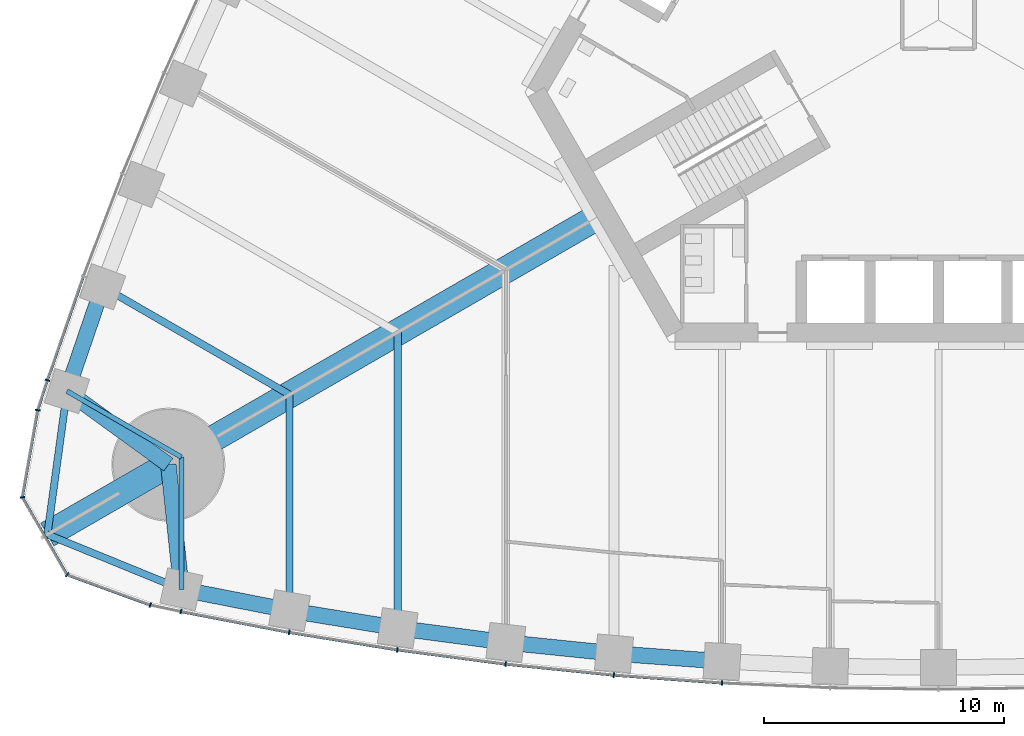
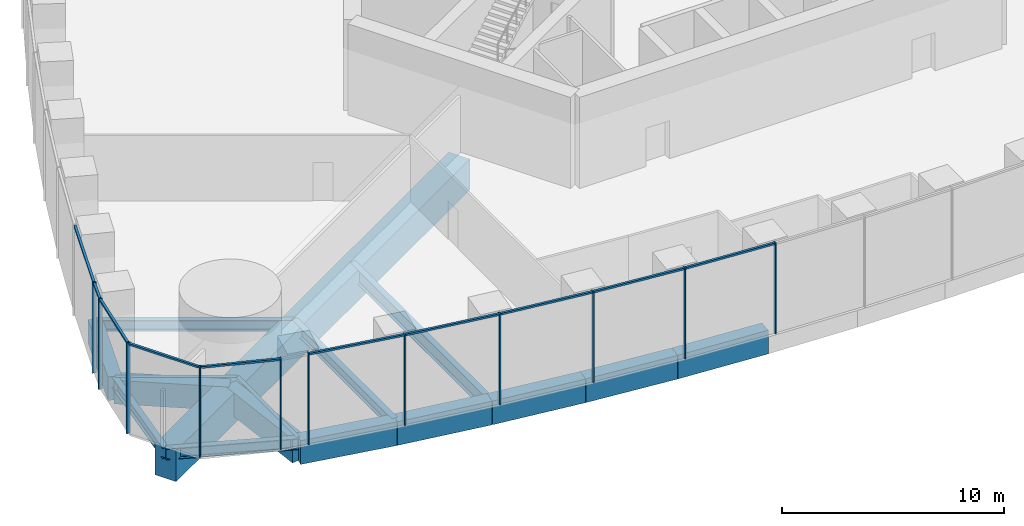
# One storey, part 2 of 21: 21 members, 17 beams, 3 elements without a shape of their own.
"""IFC4 building model written with IfcOpenShell, lengths in metres."""

from ifc_helpers import new_model, si_unit, direction, frame, origin, origin_2d, place, context, subcontext, project, spatial, rectangle, i_section, extrude, material, material_profile, profile_set, type_object, element, aggregate, save


model = new_model("IFC4")

# Units and contexts
model_context = context("Model", 3, precision=1e-05, world=origin(), true_north=direction((0.0, 1.0)))
body_context = subcontext(model_context, "Body", "Model", "MODEL_VIEW")
ifc_project = project(units=[si_unit("LENGTHUNIT", "METRE"), si_unit("AREAUNIT", "SQUARE_METRE"), si_unit("VOLUMEUNIT", "CUBIC_METRE"), si_unit("PLANEANGLEUNIT", "RADIAN"), si_unit("MASSUNIT", "GRAM", prefix="KILO")], contexts=[model_context])

# Site, building, storey
site_placement = place(None, origin())
site = spatial("IfcSite", under=ifc_project, at=site_placement, CompositionType="ELEMENT")
building_placement = place(site_placement, origin())
building = spatial("IfcBuilding", under=site, at=building_placement, Name="Trefoil Bronze Tower", CompositionType="ELEMENT")
storey_placement = place(building_placement, frame((0.0, 0.0, 11.5)))
storey = spatial("IfcBuildingStorey", under=building, at=storey_placement, Name="L02", CompositionType="ELEMENT", Elevation=11.5)

# Curtain wall, members
ifc_material_1 = material(Name="Tinted solar-control glass", Category="glass")
curtain_wall_type_1 = type_object("IfcCurtainWallType", Name="Bronze podium storefront curtain wall", PredefinedType="USERDEFINED", material=ifc_material_1)
curtain_wall_1_placement = place(storey_placement, origin())
curtain_wall_1 = element("IfcCurtainWall", 1, at=curtain_wall_1_placement, inside=storey, type_object=curtain_wall_type_1, Name="CW-C L02 F1", ObjectType="CURTAIN WALL", PredefinedType="USERDEFINED")
ifc_material_2 = material(Name="Bronze-finish aluminium", Category="aluminium")
ifc_material_profile_1 = material_profile(ifc_material_2, rectangle(XDim=0.199951171875, YDim=0.06005859375, at=origin_2d()), Name="CW-C mullion")
ifc_profile_set_1 = profile_set([ifc_material_profile_1], Name="Bronze-finish aluminium")
member_type_1 = type_object("IfcMemberType", Name="Bronze podium storefront curtain wall mullion", PredefinedType="MULLION", material=ifc_profile_set_1)
member_1_placement = place(storey_placement, frame((-31.519775390625, -24.614013671875, 0.0), z_axis=(0.0, 0.0, 1.0), x_axis=(0.197910006829, 0.98022019424, 0.0)))
member_1 = element("IfcMember", 2, at=member_1_placement, type_object=member_type_1, Name="CW-C L02 F1 mullion 2", PredefinedType="MULLION", context=body_context, shape_type="SweptSolid", body=[
    extrude(rectangle(XDim=0.199951171875, YDim=0.06005859375, at=origin_2d()), origin(), (0.0, 0.0, 1.0), 4.97998046875),
])
member_2_placement = place(storey_placement, frame((-27.017333984375, -25.478759765625, 0.0), z_axis=(0.0, 0.0, 1.0), x_axis=(0.174131146426, 0.984722470468, 0.0)))
member_2 = element("IfcMember", 3, at=member_2_placement, type_object=member_type_1, Name="CW-C L02 F1 mullion 3", PredefinedType="MULLION", context=body_context, shape_type="SweptSolid", body=[
    extrude(rectangle(XDim=0.199951171875, YDim=0.06005859375, at=origin_2d()), origin(), (0.0, 0.0, 1.0), 4.97998046875),
])
member_3_placement = place(storey_placement, frame((-22.514404296875, -26.206787109375, 0.0), z_axis=(0.0, 0.0, 1.0), x_axis=(0.145108990094, 0.989415676546, 0.0)))
member_3 = element("IfcMember", 4, at=member_3_placement, type_object=member_type_1, Name="CW-C L02 F1 mullion 4", PredefinedType="MULLION", context=body_context, shape_type="SweptSolid", body=[
    extrude(rectangle(XDim=0.199951171875, YDim=0.06005859375, at=origin_2d()), origin(), (0.0, 0.0, 1.0), 4.97998046875),
])
member_4_placement = place(storey_placement, frame((-18.01171875, -26.800048828125, 0.0), z_axis=(0.0, 0.0, 1.0), x_axis=(0.116086999973, 0.993239048989, 0.0)))
member_4 = element("IfcMember", 5, at=member_4_placement, type_object=member_type_1, Name="CW-C L02 F1 mullion 5", PredefinedType="MULLION", context=body_context, shape_type="SweptSolid", body=[
    extrude(rectangle(XDim=0.199951171875, YDim=0.06005859375, at=origin_2d()), origin(), (0.0, 0.0, 1.0), 4.97998046875),
])
member_5_placement = place(storey_placement, frame((-13.5087890625, -27.259765625, 0.0), z_axis=(0.0, 0.0, 1.0), x_axis=(0.087065139456, 0.996202620701, 0.0)))
member_5 = element("IfcMember", 6, at=member_5_placement, type_object=member_type_1, Name="CW-C L02 F1 mullion 6", PredefinedType="MULLION", context=body_context, shape_type="SweptSolid", body=[
    extrude(rectangle(XDim=0.199951171875, YDim=0.06005859375, at=origin_2d()), origin(), (0.0, 0.0, 1.0), 4.97998046875),
])
member_6_placement = place(storey_placement, frame((-9.005859375, -27.587158203125, 0.0), z_axis=(0.0, 0.0, 1.0), x_axis=(0.058043374207, 0.998314062162, 0.0)))
member_6 = element("IfcMember", 7, at=member_6_placement, type_object=member_type_1, Name="CW-C L02 F1 mullion 7", PredefinedType="MULLION", context=body_context, shape_type="SweptSolid", body=[
    extrude(rectangle(XDim=0.199951171875, YDim=0.06005859375, at=origin_2d()), origin(), (0.0, 0.0, 1.0), 4.97998046875),
])

# Curtain wall, member
curtain_wall_2_placement = place(storey_placement, origin())
curtain_wall_2 = element("IfcCurtainWall", 8, at=curtain_wall_2_placement, inside=storey, type_object=curtain_wall_type_1, Name="CW-C L02 F3", ObjectType="CURTAIN WALL", PredefinedType="USERDEFINED")
member_7_placement = place(storey_placement, frame((-37.076416015625, -14.989990234375, 0.0), z_axis=(0.0, 0.0, 1.0), x_axis=(0.947850592929, -0.318715003543, 0.0)))
member_7 = element("IfcMember", 9, at=member_7_placement, type_object=member_type_1, Name="CW-C L02 F3 mullion 16", PredefinedType="MULLION", context=body_context, shape_type="SweptSolid", body=[
    extrude(rectangle(XDim=0.199951171875, YDim=0.06005859375, at=origin_2d()), origin(), (0.0, 0.0, 1.0), 4.97998046875),
])

# Member
ifc_material_3 = material(Name="Bronze-finish aluminium", Category="aluminium")
ifc_material_profile_2 = material_profile(ifc_material_3, rectangle(XDim=0.1201171875, YDim=0.10009765625, at=origin_2d()), Name="CW-C transom")
ifc_profile_set_2 = profile_set([ifc_material_profile_2], Name="Bronze-finish aluminium")
member_type_2 = type_object("IfcMemberType", Name="Bronze podium storefront curtain wall transom", PredefinedType="USERDEFINED", material=ifc_profile_set_2)
member_8_placement = place(storey_placement, frame((-31.489501953125, -24.619873046875, 4.929931640625), z_axis=(0.982049163512, -0.18862513206, 0.0), x_axis=(0.18862513206, 0.982049163512, 0.0)))
member_8 = element("IfcMember", 10, at=member_8_placement, type_object=member_type_2, Name="CW-C L02 F1 transom 2", ObjectType="TRANSOM", PredefinedType="USERDEFINED", context=body_context, shape_type="SweptSolid", body=[
    extrude(rectangle(XDim=0.1201171875, YDim=0.10009765625, at=origin_2d()), origin(), (0.0, 0.0, 1.0), 4.5224609375),
])

member_9_placement = place(storey_placement, frame((-26.986328125, -25.48388671875, 4.929931640625), z_axis=(0.987178845657, -0.159618065043, 0.0), x_axis=(0.159618065043, 0.987178845657, 0.0)))
member_9 = element("IfcMember", 11, at=member_9_placement, type_object=member_type_2, Name="CW-C L02 F1 transom 3", ObjectType="TRANSOM", PredefinedType="USERDEFINED", context=body_context, shape_type="SweptSolid", body=[
    extrude(rectangle(XDim=0.1201171875, YDim=0.10009765625, at=origin_2d()), origin(), (0.0, 0.0, 1.0), 4.498291015625),
])

member_10_placement = place(storey_placement, frame((-22.4833984375, -26.2109375, 4.929931640625), z_axis=(0.991435175775, -0.130599740566, 0.0), x_axis=(0.130599740566, 0.991435175775, 0.0)))
member_10 = element("IfcMember", 12, at=member_10_placement, type_object=member_type_2, Name="CW-C L02 F1 transom 4", ObjectType="TRANSOM", PredefinedType="USERDEFINED", context=body_context, shape_type="SweptSolid", body=[
    extrude(rectangle(XDim=0.1201171875, YDim=0.10009765625, at=origin_2d()), origin(), (0.0, 0.0, 1.0), 4.47900390625),
])

member_11_placement = place(storey_placement, frame((-17.980224609375, -26.80322265625, 4.929931640625), z_axis=(0.994833127844, -0.101523631455, 0.0), x_axis=(0.101523631455, 0.994833127844, 0.0)))
member_11 = element("IfcMember", 13, at=member_11_placement, type_object=member_type_2, Name="CW-C L02 F1 transom 5", ObjectType="TRANSOM", PredefinedType="USERDEFINED", context=body_context, shape_type="SweptSolid", body=[
    extrude(rectangle(XDim=0.1201171875, YDim=0.10009765625, at=origin_2d()), origin(), (0.0, 0.0, 1.0), 4.463134765625),
])

member_12_placement = place(storey_placement, frame((-13.477294921875, -27.261962890625, 4.929931640625), z_axis=(0.997364590548, -0.072552556953, 0.0), x_axis=(0.072552556953, 0.997364590548, 0.0)))
member_12 = element("IfcMember", 14, at=member_12_placement, type_object=member_type_2, Name="CW-C L02 F1 transom 6", ObjectType="TRANSOM", PredefinedType="USERDEFINED", context=body_context, shape_type="SweptSolid", body=[
    extrude(rectangle(XDim=0.1201171875, YDim=0.10009765625, at=origin_2d()), origin(), (0.0, 0.0, 1.0), 4.451904296875),
])

aggregate(curtain_wall_1, [member_1, member_2, member_3, member_4, member_5, member_6, member_8, member_9, member_10, member_11, member_12])

member_13_placement = place(storey_placement, frame((-35.58447265625, -10.68798828125, 4.929931640625), z_axis=(-0.327638958875, -0.944803002021, 0.0), x_axis=(0.944803002021, -0.327638958875, 0.0)))
member_13 = element("IfcMember", 15, at=member_13_placement, type_object=member_type_2, Name="CW-C L02 F3 transom 15", ObjectType="TRANSOM", PredefinedType="USERDEFINED", context=body_context, shape_type="SweptSolid", body=[
    extrude(rectangle(XDim=0.1201171875, YDim=0.10009765625, at=origin_2d()), origin(), (0.0, 0.0, 1.0), 4.522216796875),
])

member_14_placement = place(storey_placement, frame((-37.0859375, -15.019287109375, 4.929931640625), z_axis=(-0.309732068556, -0.950823877334, 0.0), x_axis=(0.950823877334, -0.309732068556, 0.0)))
member_14 = element("IfcMember", 16, at=member_14_placement, type_object=member_type_2, Name="CW-C L02 F3 transom 16", ObjectType="TRANSOM", PredefinedType="USERDEFINED", context=body_context, shape_type="SweptSolid", body=[
    extrude(rectangle(XDim=0.1201171875, YDim=0.10009765625, at=origin_2d()), origin(), (0.0, 0.0, 1.0), 1.23046875),
])

aggregate(curtain_wall_2, [member_7, member_13, member_14])

# Curtain wall, members
ifc_material_4 = material(Name="Tinted solar-control glass", Category="glass")
curtain_wall_type_2 = type_object("IfcCurtainWallType", Name="Bronze rounded corner curtain wall", PredefinedType="USERDEFINED", material=ifc_material_4)
curtain_wall_3_placement = place(storey_placement, origin())
curtain_wall_3 = element("IfcCurtainWall", 17, at=curtain_wall_3_placement, inside=storey, type_object=curtain_wall_type_2, Name="CW-B L02 K3", ObjectType="CURTAIN WALL", PredefinedType="USERDEFINED")
ifc_material_5 = material(Name="Bronze-finish aluminium", Category="aluminium")
ifc_material_profile_3 = material_profile(ifc_material_5, rectangle(XDim=0.199951171875, YDim=0.06005859375, at=origin_2d()), Name="CW-B mullion")
ifc_profile_set_3 = profile_set([ifc_material_profile_3], Name="Bronze-finish aluminium")
member_type_3 = type_object("IfcMemberType", Name="Bronze rounded corner curtain wall mullion", PredefinedType="MULLION", material=ifc_profile_set_3)
member_15_placement = place(storey_placement, frame((-37.479736328125, -16.2314453125, 0.0), z_axis=(0.0, 0.0, 1.0), x_axis=(0.984807753012, -0.173648177667, 0.0)))
member_15 = element("IfcMember", 18, at=member_15_placement, type_object=member_type_3, Name="CW-B L02 K3 mullion 1", PredefinedType="MULLION", context=body_context, shape_type="SweptSolid", body=[
    extrude(rectangle(XDim=0.199951171875, YDim=0.06005859375, at=origin_2d()), origin(), (0.0, 0.0, 1.0), 4.97998046875),
])
member_16_placement = place(storey_placement, frame((-38.11328125, -19.85888671875, 0.0), z_axis=(0.0, 0.0, 1.0), x_axis=(0.984807753012, 0.173648177667, 0.0)))
member_16 = element("IfcMember", 19, at=member_16_placement, type_object=member_type_3, Name="CW-B L02 K3 mullion 2", PredefinedType="MULLION", context=body_context, shape_type="SweptSolid", body=[
    extrude(rectangle(XDim=0.199951171875, YDim=0.06005859375, at=origin_2d()), origin(), (0.0, 0.0, 1.0), 4.97998046875),
])
member_17_placement = place(storey_placement, frame((-36.2548828125, -23.07763671875, 0.0), z_axis=(0.0, 0.0, 1.0), x_axis=(0.642787609687, 0.766044443119, 0.0)))
member_17 = element("IfcMember", 20, at=member_17_placement, type_object=member_type_3, Name="CW-B L02 K3 mullion 3", PredefinedType="MULLION", context=body_context, shape_type="SweptSolid", body=[
    extrude(rectangle(XDim=0.199951171875, YDim=0.06005859375, at=origin_2d()), origin(), (0.0, 0.0, 1.0), 4.97998046875),
])
member_18_placement = place(storey_placement, frame((-32.796630859375, -24.3427734375, 0.0), z_axis=(0.0, 0.0, 1.0), x_axis=(0.342020143326, 0.939692620786, 0.0)))
member_18 = element("IfcMember", 21, at=member_18_placement, type_object=member_type_3, Name="CW-B L02 K3 mullion 4", PredefinedType="MULLION", context=body_context, shape_type="SweptSolid", body=[
    extrude(rectangle(XDim=0.199951171875, YDim=0.06005859375, at=origin_2d()), origin(), (0.0, 0.0, 1.0), 4.97998046875),
])
ifc_material_6 = material(Name="Bronze-finish aluminium", Category="aluminium")
ifc_material_profile_4 = material_profile(ifc_material_6, rectangle(XDim=0.1201171875, YDim=0.10009765625, at=origin_2d()), Name="CW-B transom")
ifc_profile_set_4 = profile_set([ifc_material_profile_4], Name="Bronze-finish aluminium")
member_type_4 = type_object("IfcMemberType", Name="Bronze rounded corner curtain wall transom", PredefinedType="USERDEFINED", material=ifc_profile_set_4)
member_19_placement = place(storey_placement, frame((-37.48486328125, -16.260986328125, 4.929931640625), z_axis=(-0.17363783606, -0.984809576461, 0.0), x_axis=(0.984809576461, -0.17363783606, 0.0)))
member_19 = element("IfcMember", 22, at=member_19_placement, type_object=member_type_4, Name="CW-B L02 K3 transom 1", ObjectType="TRANSOM", PredefinedType="USERDEFINED", context=body_context, shape_type="SweptSolid", body=[
    extrude(rectangle(XDim=0.1201171875, YDim=0.10009765625, at=origin_2d()), origin(), (0.0, 0.0, 1.0), 3.588134765625),
])
member_20_placement = place(storey_placement, frame((-38.08642578125, -19.91748046875, 4.929931640625), z_axis=(0.500024788772, -0.866011091507, 0.0), x_axis=(0.866011091507, 0.500024788772, 0.0)))
member_20 = element("IfcMember", 23, at=member_20_placement, type_object=member_type_4, Name="CW-B L02 K3 transom 2", ObjectType="TRANSOM", PredefinedType="USERDEFINED", context=body_context, shape_type="SweptSolid", body=[
    extrude(rectangle(XDim=0.1201171875, YDim=0.10009765625, at=origin_2d()), origin(), (0.0, 0.0, 1.0), 3.588134765625),
])
member_21_placement = place(storey_placement, frame((-36.196533203125, -23.105224609375, 4.929931640625), z_axis=(0.939688092095, -0.342032585545, 0.0), x_axis=(0.342032585545, 0.939688092095, 0.0)))
member_21 = element("IfcMember", 24, at=member_21_placement, type_object=member_type_4, Name="CW-B L02 K3 transom 3", ObjectType="TRANSOM", PredefinedType="USERDEFINED", context=body_context, shape_type="SweptSolid", body=[
    extrude(rectangle(XDim=0.1201171875, YDim=0.10009765625, at=origin_2d()), origin(), (0.0, 0.0, 1.0), 3.588134765625),
])
aggregate(curtain_wall_3, [member_15, member_16, member_17, member_18, member_19, member_20, member_21])

# Beams
ifc_material_7 = material(Name="Concrete B80", Category="concrete")
ifc_material_profile_5 = material_profile(ifc_material_7, rectangle(XDim=1.10009765625, YDim=1.699951171875, at=origin_2d()), Name="RC 1100x1700")
ifc_profile_set_5 = profile_set([ifc_material_profile_5], Name="Concrete B80")
beam_type_1 = type_object("IfcBeamType", Name="Corner cantilever RC 1100x1700", PredefinedType="BEAM", material=ifc_profile_set_5)
beam_1_placement = place(storey_placement, frame((-32.04296875, -18.5, -1.050048828125), z_axis=(-0.866030348588, -0.499991435252, 0.0), x_axis=(0.499991435252, -0.866030348588, 0.0)))
element("IfcBeam", 25, at=beam_1_placement, inside=storey, type_object=beam_type_1, Name="Corner cantilever K3 L02", PredefinedType="BEAM", context=body_context, shape_type="SweptSolid", body=[
    extrude(rectangle(XDim=1.10009765625, YDim=1.699951171875, at=origin_2d()), origin(), (0.0, 0.0, 1.0), 5.81396484375),
])
ifc_material_8 = material(Name="Steel C355", Category="steel")
ifc_material_profile_6 = material_profile(ifc_material_8, i_section(OverallWidth=0.300048828125, OverallDepth=0.60009765625, WebThickness=0.015380859375, FlangeThickness=0.030029296875, FilletRadius=0.027099609375, at=origin_2d()), Name="HEB 600")
ifc_profile_set_6 = profile_set([ifc_material_profile_6], Name="Steel C355")
beam_type_2 = type_object("IfcBeamType", Name="Corner edge beam HEB 600", PredefinedType="BEAM", material=ifc_profile_set_6)
beam_2_placement = place(storey_placement, frame((-31.5, -23.684814453125, -0.5), z_axis=(-0.925786874353, 0.378045848114, 0.0), x_axis=(-0.378045848114, -0.925786874353, 0.0)))
element("IfcBeam", 26, at=beam_2_placement, inside=storey, type_object=beam_type_2, Name="Corner edge beam F1B L02", PredefinedType="BEAM", context=body_context, shape_type="SweptSolid", body=[
    extrude(i_section(OverallWidth=0.300048828125, OverallDepth=0.60009765625, WebThickness=0.015380859375, FlangeThickness=0.030029296875, FilletRadius=0.027099609375, at=origin_2d()), origin(), (0.0, 0.0, 1.0), 6.025390625),
])
beam_3_placement = place(storey_placement, frame((-36.26171875, -15.4375, -0.5), z_axis=(-0.13550196505, -0.990777077585, 0.0), x_axis=(0.990777077585, -0.13550196505, 0.0)))
element("IfcBeam", 27, at=beam_3_placement, inside=storey, type_object=beam_type_2, Name="Corner edge beam F3A L02", PredefinedType="BEAM", context=body_context, shape_type="SweptSolid", body=[
    extrude(i_section(OverallWidth=0.300048828125, OverallDepth=0.60009765625, WebThickness=0.015380859375, FlangeThickness=0.030029296875, FilletRadius=0.027099609375, at=origin_2d()), origin(), (0.0, 0.0, 1.0), 6.025146484375),
])
ifc_material_9 = material(Name="Concrete B80", Category="concrete")
ifc_material_profile_7 = material_profile(ifc_material_9, rectangle(XDim=1.10009765625, YDim=1.699951171875, at=origin_2d()), Name="RC 1100x1700")
ifc_profile_set_7 = profile_set([ifc_material_profile_7], Name="Concrete B80")
beam_type_3 = type_object("IfcBeamType", Name="Corner girder RC 1100x1700", PredefinedType="BEAM", material=ifc_profile_set_7)
beam_4_placement = place(storey_placement, frame((-14.202880859375, -8.199951171875, -1.050048828125), z_axis=(-0.866023947468, -0.500002522405, 0.0), x_axis=(0.500002522405, -0.866023947468, 0.0)))
element("IfcBeam", 28, at=beam_4_placement, inside=storey, type_object=beam_type_3, Name="Corner girder K3 L02", PredefinedType="BEAM", context=body_context, shape_type="SweptSolid", body=[
    extrude(rectangle(XDim=1.10009765625, YDim=1.699951171875, at=origin_2d()), origin(), (0.0, 0.0, 1.0), 20.60009765625),
])
ifc_material_10 = material(Name="Concrete B80", Category="concrete")
ifc_material_profile_8 = material_profile(ifc_material_10, rectangle(XDim=0.64990234375, YDim=1.300048828125, at=origin_2d()), Name="RC 650x1300")
ifc_profile_set_8 = profile_set([ifc_material_profile_8], Name="Concrete B80")
beam_type_4 = type_object("IfcBeamType", Name="End spandrel beam RC 650x1300", PredefinedType="SPANDREL", material=ifc_profile_set_8)
for number, where, z_axis, x_axis, name in (
    (29, (-32.04296875, -18.5, -0.85009765625), (0.104153327908, -0.994561252154, 0.0), (0.994561252154, 0.104153327908, 0.0), "Spandrel F1.1 L02"),
    (30, (-36.26171875, -15.4375, -0.85009765625), (0.809254211267, -0.587458612624, 0.0), (0.587458612624, 0.809254211267, 0.0), "Spandrel F3.16 L02"),
):
    element("IfcBeam", number, at=place(storey_placement, frame(where, z_axis=z_axis, x_axis=x_axis)), inside=storey, type_object=beam_type_4, Name=name, PredefinedType="SPANDREL", context=body_context, shape_type="SweptSolid", body=[
        extrude(rectangle(XDim=0.64990234375, YDim=1.300048828125, at=origin_2d()), origin(), (0.0, 0.0, 1.0), 5.213134765625),
    ])
ifc_material_11 = material(Name="Steel C355", Category="steel")
ifc_material_profile_9 = material_profile(ifc_material_11, i_section(OverallWidth=0.300048828125, OverallDepth=0.60009765625, WebThickness=0.015380859375, FlangeThickness=0.030029296875, FilletRadius=0.027099609375, at=origin_2d()), Name="HEB 600")
ifc_profile_set_9 = profile_set([ifc_material_profile_9], Name="Steel C355")
beam_type_5 = type_object("IfcBeamType", Name="Floor beam HEB 600", PredefinedType="BEAM", material=ifc_profile_set_9)
for number, where, z_axis, x_axis, name in (
    (31, (-27.0, -24.56787109375, -0.5), (0.0, 1.0, 0.0), (-1.0, 0.0, 0.0), "Floor beam F1/-6 L02"),
    (32, (-34.7763671875, -11.0986328125, -0.5), (0.866022587327, -0.500004878216, 0.0), (0.500004878216, 0.866022587327, 0.0), "Floor beam F3/+6 L02"),
):
    element("IfcBeam", number, at=place(storey_placement, frame(where, z_axis=z_axis, x_axis=x_axis)), inside=storey, type_object=beam_type_5, Name=name, PredefinedType="BEAM", context=body_context, shape_type="SweptSolid", body=[
        extrude(i_section(OverallWidth=0.300048828125, OverallDepth=0.60009765625, WebThickness=0.015380859375, FlangeThickness=0.030029296875, FilletRadius=0.027099609375, at=origin_2d()), origin(), (0.0, 0.0, 1.0), 8.9794921875),
    ])
ifc_material_12 = material(Name="Steel C355", Category="steel")
ifc_material_profile_10 = material_profile(ifc_material_12, i_section(OverallWidth=0.300048828125, OverallDepth=0.800048828125, WebThickness=0.017578125, FlangeThickness=0.032958984375, FilletRadius=0.030029296875, at=origin_2d()), Name="HEB 800")
ifc_profile_set_10 = profile_set([ifc_material_profile_10], Name="Steel C355")
beam_type_6 = type_object("IfcBeamType", Name="Floor beam HEB 800", PredefinedType="BEAM", material=ifc_profile_set_10)
beam_5_placement = place(storey_placement, frame((-22.5, -25.29931640625, -0.60009765625), z_axis=(0.0, 1.0, 0.0), x_axis=(-1.0, 0.0, 0.0)))
element("IfcBeam", 33, at=beam_5_placement, inside=storey, type_object=beam_type_6, Name="Floor beam F1/-5 L02", PredefinedType="BEAM", context=body_context, shape_type="SweptSolid", body=[
    extrude(i_section(OverallWidth=0.300048828125, OverallDepth=0.800048828125, WebThickness=0.017578125, FlangeThickness=0.032958984375, FilletRadius=0.030029296875, at=origin_2d()), origin(), (0.0, 0.0, 1.0), 12.308837890625),
])
ifc_material_13 = material(Name="Steel C355", Category="steel")
ifc_material_profile_11 = material_profile(ifc_material_13, i_section(OverallWidth=0.199951171875, OverallDepth=0.5, WebThickness=0.01025390625, FlangeThickness=0.01611328125, FilletRadius=0.02099609375, at=origin_2d()), Name="IPE 500")
ifc_profile_set_11 = profile_set([ifc_material_profile_11], Name="Steel C355")
beam_type_7 = type_object("IfcBeamType", Name="Floor beam IPE 500", PredefinedType="BEAM", material=ifc_profile_set_11)
for number, where, z_axis, x_axis, name in (
    (34, (-31.5, -23.684814453125, -0.449951171875), (0.0, 1.0, 0.0), (-1.0, 0.0, 0.0), "Floor beam F1/-7 L02"),
    (35, (-36.26171875, -15.4375, -0.449951171875), (0.866037702141, -0.499978698016, 0.0), (0.499978698016, 0.866037702141, 0.0), "Floor beam F3/+7 L02"),
):
    element("IfcBeam", number, at=place(storey_placement, frame(where, z_axis=z_axis, x_axis=x_axis)), inside=storey, type_object=beam_type_7, Name=name, PredefinedType="BEAM", context=body_context, shape_type="SweptSolid", body=[
        extrude(i_section(OverallWidth=0.199951171875, OverallDepth=0.5, WebThickness=0.01025390625, FlangeThickness=0.01611328125, FilletRadius=0.02099609375, at=origin_2d()), origin(), (0.0, 0.0, 1.0), 5.498291015625),
    ])
ifc_material_14 = material(Name="Concrete B80", Category="concrete")
ifc_material_profile_12 = material_profile(ifc_material_14, rectangle(XDim=0.64990234375, YDim=1.300048828125, at=origin_2d()), Name="RC 650x1300")
ifc_profile_set_12 = profile_set([ifc_material_profile_12], Name="Concrete B80")
beam_type_8 = type_object("IfcBeamType", Name="Spandrel beam RC 650x1300", PredefinedType="SPANDREL", material=ifc_profile_set_12)
beam_6_placement = place(storey_placement, frame((-31.5, -23.684814453125, -0.85009765625), z_axis=(0.981284764092, -0.192562228283, 0.0), x_axis=(0.192562228283, 0.981284764092, 0.0)))
element("IfcBeam", 36, at=beam_6_placement, inside=storey, type_object=beam_type_8, Name="Spandrel F1.2 L02", PredefinedType="SPANDREL", context=body_context, shape_type="SweptSolid", body=[
    extrude(rectangle(XDim=0.64990234375, YDim=1.300048828125, at=origin_2d()), origin(), (0.0, 0.0, 1.0), 4.5859375),
])
beam_7_placement = place(storey_placement, frame((-27.0, -24.56787109375, -0.85009765625), z_axis=(0.987045951254, -0.160437807615, 0.0), x_axis=(0.160437807615, 0.987045951254, 0.0)))
element("IfcBeam", 37, at=beam_7_placement, inside=storey, type_object=beam_type_8, Name="Spandrel F1.3 L02", PredefinedType="SPANDREL", context=body_context, shape_type="SweptSolid", body=[
    extrude(rectangle(XDim=0.64990234375, YDim=1.300048828125, at=origin_2d()), origin(), (0.0, 0.0, 1.0), 4.55908203125),
])
beam_8_placement = place(storey_placement, frame((-22.5, -25.29931640625, -0.85009765625), z_axis=(0.991344474846, -0.131286450906, 0.0), x_axis=(0.131286450906, 0.991344474846, 0.0)))
element("IfcBeam", 38, at=beam_8_placement, inside=storey, type_object=beam_type_8, Name="Spandrel F1.4 L02", PredefinedType="SPANDREL", context=body_context, shape_type="SweptSolid", body=[
    extrude(rectangle(XDim=0.64990234375, YDim=1.300048828125, at=origin_2d()), origin(), (0.0, 0.0, 1.0), 4.539306640625),
])
beam_9_placement = place(storey_placement, frame((-18.0, -25.895263671875, -0.85009765625), z_axis=(0.994778488621, -0.102057623805, 0.0), x_axis=(0.102057623805, 0.994778488621, 0.0)))
element("IfcBeam", 39, at=beam_9_placement, inside=storey, type_object=beam_type_8, Name="Spandrel F1.5 L02", PredefinedType="SPANDREL", context=body_context, shape_type="SweptSolid", body=[
    extrude(rectangle(XDim=0.64990234375, YDim=1.300048828125, at=origin_2d()), origin(), (0.0, 0.0, 1.0), 4.523681640625),
])
beam_10_placement = place(storey_placement, frame((-13.5, -26.35693359375, -0.85009765625), z_axis=(0.997336412354, -0.072938882588, 0.0), x_axis=(0.072938882588, 0.997336412354, 0.0)))
element("IfcBeam", 40, at=beam_10_placement, inside=storey, type_object=beam_type_8, Name="Spandrel F1.6 L02", PredefinedType="SPANDREL", context=body_context, shape_type="SweptSolid", body=[
    extrude(rectangle(XDim=0.64990234375, YDim=1.300048828125, at=origin_2d()), origin(), (0.0, 0.0, 1.0), 4.511962890625),
])
beam_11_placement = place(storey_placement, frame((-34.7763671875, -11.0986328125, -0.85009765625), z_axis=(-0.323883319148, -0.946097032855, 0.0), x_axis=(0.946097032855, -0.323883319148, 0.0)))
element("IfcBeam", 41, at=beam_11_placement, inside=storey, type_object=beam_type_8, Name="Spandrel F3.15 L02", PredefinedType="SPANDREL", context=body_context, shape_type="SweptSolid", body=[
    extrude(rectangle(XDim=0.64990234375, YDim=1.300048828125, at=origin_2d()), origin(), (0.0, 0.0, 1.0), 4.586181640625),
])

save(model, "model.ifc")
